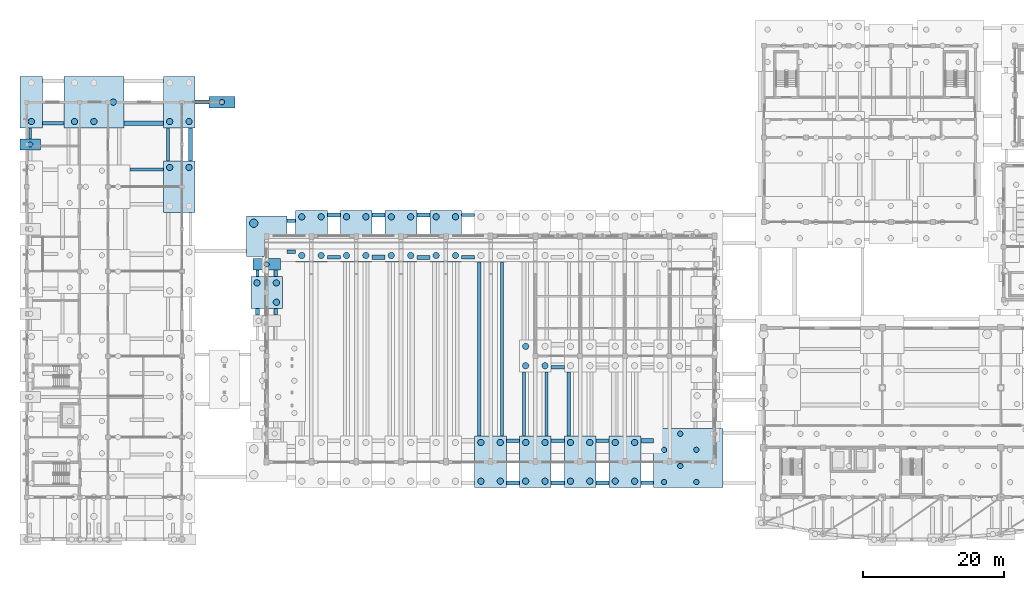
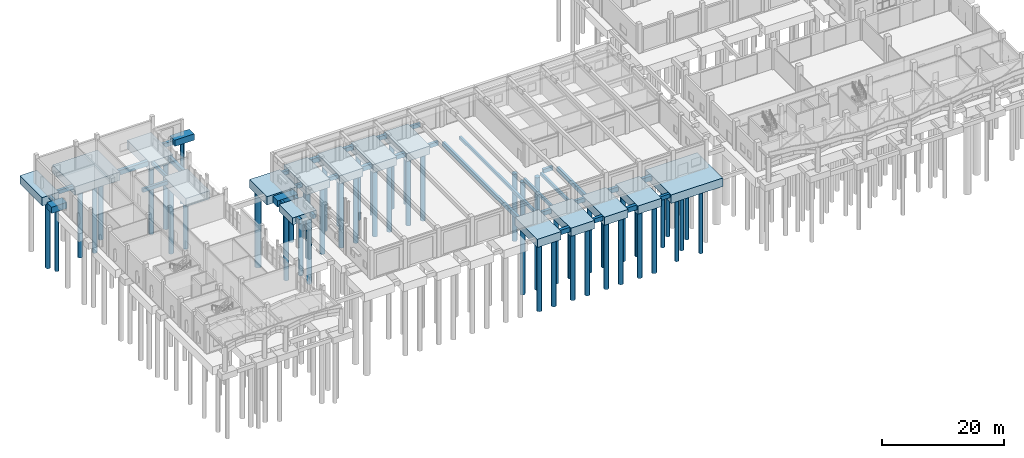
# One storey, part 3 of 60: 56 piles, 53 footings.
"""IFC4 building model written with IfcOpenShell, lengths in metres."""

from ifc_helpers import new_model, si_unit, direction, frame, origin, origin_2d, place, context, subcontext, project, spatial, rectangle, circle, extrude, material, material_profile, profile_set, type_object, element, save


model = new_model("IFC4")

# Units and contexts
model_context = context("Model", 3, precision=1e-05, world=origin(), true_north=direction((0.0, 1.0)))
body_context = subcontext(model_context, "Body", "Model", "MODEL_VIEW")
ifc_project = project(units=[si_unit("LENGTHUNIT", "METRE"), si_unit("AREAUNIT", "SQUARE_METRE"), si_unit("VOLUMEUNIT", "CUBIC_METRE"), si_unit("PLANEANGLEUNIT", "RADIAN"), si_unit("MASSUNIT", "GRAM", prefix="KILO")], contexts=[model_context])

# Site, building, storey
site_placement = place(None, origin())
site = spatial("IfcSite", under=ifc_project, at=site_placement, CompositionType="ELEMENT")
building_placement = place(site_placement, origin())
building = spatial("IfcBuilding", under=site, at=building_placement, Name="Trellovar Central Fire Station", CompositionType="ELEMENT")
storey_placement = place(building_placement, origin())
storey = spatial("IfcBuildingStorey", under=building, at=storey_placement, Name="L01", CompositionType="ELEMENT", Elevation=0.0)

# Footings
ifc_material_1 = material(Name="Concrete C35/45", Category="concrete")
footing_type_1 = type_object("IfcFootingType", Name="CAP-PC03", PredefinedType="PILE_CAP", material=ifc_material_1)
footing_1_placement = place(storey_placement, frame((1.47705078125, 59.0, -1.64990234375), z_axis=(0.0, 0.0, 1.0), x_axis=(1.0, 0.0, 0.0)))
element("IfcFooting", 1, at=footing_1_placement, inside=storey, type_object=footing_type_1, Name="Pile cap PC-03 at (1.5, 59.0)", PredefinedType="PILE_CAP", context=body_context, shape_type="SweptSolid", body=[
    extrude(rectangle(XDim=2.89990234375, YDim=1.60009765625, at=origin_2d()), origin(), (0.0, 0.0, 1.0), 1.25),
])
ifc_material_2 = material(Name="Concrete C35/45", Category="concrete")
footing_type_2 = type_object("IfcFootingType", Name="CAP-PC05", PredefinedType="PILE_CAP", material=ifc_material_2)
footing_2_placement = place(storey_placement, frame((1.639892578125, 65.0, -2.050048828125), z_axis=(0.0, 0.0, 1.0), x_axis=(1.0, 0.0, 0.0)))
element("IfcFooting", 2, at=footing_2_placement, inside=storey, type_object=footing_type_2, Name="Pile cap PC-05 at (1.6, 65.0)", PredefinedType="PILE_CAP", context=body_context, shape_type="SweptSolid", body=[
    extrude(rectangle(XDim=3.199951171875, YDim=7.300048828125, at=origin_2d()), origin(), (0.0, 0.0, 1.0), 1.64990234375),
])
ifc_material_3 = material(Name="Concrete C35/45", Category="concrete")
footing_type_3 = type_object("IfcFootingType", Name="CAP-PC09", PredefinedType="PILE_CAP", material=ifc_material_3)
footing_3_placement = place(storey_placement, frame((10.5, 65.0, -2.050048828125), z_axis=(0.0, 0.0, 1.0), x_axis=(1.0, 0.0, 0.0)))
element("IfcFooting", 3, at=footing_3_placement, inside=storey, type_object=footing_type_3, Name="Pile cap PC-09 at (10.5, 65.0)", PredefinedType="PILE_CAP", context=body_context, shape_type="SweptSolid", body=[
    extrude(rectangle(XDim=8.5, YDim=7.300048828125, at=origin_2d()), origin(), (0.0, 0.0, 1.0), 1.64990234375),
])
ifc_material_4 = material(Name="Concrete C35/45", Category="concrete")
footing_type_4 = type_object("IfcFootingType", Name="CAP-PC12", PredefinedType="PILE_CAP", material=ifc_material_4)
for number, where, z_axis, x_axis, name in (
    (4, (22.6201171875, 53.0, -2.050048828125), (0.0, 0.0, 1.0), (1.0, 0.0, 0.0), "Pile cap PC-12 at (22.6, 53.0)"),
    (5, (22.6201171875, 65.0, -2.050048828125), (0.0, 0.0, 1.0), (1.0, 0.0, 0.0), "Pile cap PC-12 at (22.6, 65.0)"),
    (6, (41.35009765625, 46.0, -2.050048828125), (0.0, 0.0, 1.0), (1.0, 0.0, 0.0), "Pile cap PC-12 at (41.4, 46.0)"),
    (7, (47.699951171875, 46.0, -2.050048828125), (0.0, 0.0, 1.0), (1.0, 0.0, 0.0), "Pile cap PC-12 at (47.7, 46.0)"),
    (8, (54.050048828125, 46.0, -2.050048828125), (0.0, 0.0, 1.0), (1.0, 0.0, 0.0), "Pile cap PC-12 at (54.0, 46.0)"),
    (9, (60.39990234375, 46.0, -2.050048828125), (0.0, 0.0, 1.0), (1.0, 0.0, 0.0), "Pile cap PC-12 at (60.4, 46.0)"),
    (10, (66.75, 14.0, -2.050048828125), (0.0, 0.0, 1.0), (1.0, 0.0, 0.0), "Pile cap PC-12 at (66.8, 14.0)"),
    (11, (73.10009765625, 14.0, -2.050048828125), (0.0, 0.0, 1.0), (1.0, 0.0, 0.0), "Pile cap PC-12 at (73.1, 14.0)"),
    (12, (79.449951171875, 14.0, -2.050048828125), (0.0, 0.0, 1.0), (1.0, 0.0, 0.0), "Pile cap PC-12 at (79.5, 14.0)"),
    (13, (85.800048828125, 14.0, -2.050048828125), (0.0, 0.0, 1.0), (1.0, 0.0, 0.0), "Pile cap PC-12 at (85.8, 14.0)"),
):
    element("IfcFooting", number, at=place(storey_placement, frame(where, z_axis=z_axis, x_axis=x_axis)), inside=storey, type_object=footing_type_4, Name=name, PredefinedType="PILE_CAP", context=body_context, shape_type="SweptSolid", body=[
        extrude(rectangle(XDim=4.5, YDim=7.300048828125, at=origin_2d()), origin(), (0.0, 0.0, 1.0), 1.64990234375),
    ])
ifc_material_5 = material(Name="Concrete C35/45", Category="concrete")
footing_type_5 = type_object("IfcFootingType", Name="CAP-PC13", PredefinedType="PILE_CAP", material=ifc_material_5)
footing_4_placement = place(storey_placement, frame((28.677978515625, 65.0, -1.25), z_axis=(0.0, 0.0, 1.0), x_axis=(1.0, 0.0, 0.0)))
element("IfcFooting", 14, at=footing_4_placement, inside=storey, type_object=footing_type_5, Name="Pile cap PC-13 at (28.7, 65.0)", PredefinedType="PILE_CAP", context=body_context, shape_type="SweptSolid", body=[
    extrude(rectangle(XDim=3.699951171875, YDim=1.60009765625, at=origin_2d()), origin(), (0.0, 0.0, 1.0), 1.25),
])
ifc_material_6 = material(Name="Concrete C35/45", Category="concrete")
footing_type_6 = type_object("IfcFootingType", Name="CAP-PC19", PredefinedType="PILE_CAP", material=ifc_material_6)
footing_5_placement = place(storey_placement, frame((35.0, 38.0, -1.800048828125), z_axis=(0.0, 0.0, 1.0), x_axis=(1.0, 0.0, 0.0)))
element("IfcFooting", 15, at=footing_5_placement, inside=storey, type_object=footing_type_6, Name="Pile cap PC-19 at (35.0, 38.0)", PredefinedType="PILE_CAP", context=body_context, shape_type="SweptSolid", body=[
    extrude(rectangle(XDim=4.5, YDim=4.5, at=origin_2d()), origin(), (0.0, 0.0, 1.0), 1.39990234375),
])
ifc_material_7 = material(Name="Concrete C35/45", Category="concrete")
footing_type_7 = type_object("IfcFootingType", Name="CAP-PC20", PredefinedType="PILE_CAP", material=ifc_material_7)
footing_6_placement = place(storey_placement, frame((35.0, 42.0, -1.64990234375), z_axis=(0.0, 0.0, 1.0), x_axis=(1.0, 0.0, 0.0)))
element("IfcFooting", 16, at=footing_6_placement, inside=storey, type_object=footing_type_7, Name="Pile cap PC-20 at (35.0, 42.0)", PredefinedType="PILE_CAP", context=body_context, shape_type="SweptSolid", body=[
    extrude(rectangle(XDim=3.89990234375, YDim=1.60009765625, at=origin_2d()), origin(), (0.0, 0.0, 1.0), 1.25),
])
ifc_material_8 = material(Name="Concrete C35/45", Category="concrete")
footing_type_8 = type_object("IfcFootingType", Name="CAP-PC21", PredefinedType="PILE_CAP", material=ifc_material_8)
footing_7_placement = place(storey_placement, frame((35.0, 46.0, -2.10009765625), z_axis=(0.0, 0.0, 1.0), x_axis=(1.0, 0.0, 0.0)))
element("IfcFooting", 17, at=footing_7_placement, inside=storey, type_object=footing_type_8, Name="Pile cap PC-21 at (35.0, 46.0)", PredefinedType="PILE_CAP", context=body_context, shape_type="SweptSolid", body=[
    extrude(rectangle(XDim=5.699951171875, YDim=5.699951171875, at=origin_2d()), origin(), (0.0, 0.0, 1.0), 1.699951171875),
])
ifc_material_9 = material(Name="Concrete C35/45", Category="concrete")
footing_type_9 = type_object("IfcFootingType", Name="CAP-PC23", PredefinedType="PILE_CAP", material=ifc_material_9)
footing_8_placement = place(storey_placement, frame((94.784912109375, 14.56201171875, -2.10009765625), z_axis=(0.0, 0.0, 1.0), x_axis=(1.0, 0.0, 0.0)))
element("IfcFooting", 18, at=footing_8_placement, inside=storey, type_object=footing_type_9, Name="Pile cap PC-23 at (94.8, 14.6)", PredefinedType="PILE_CAP", context=body_context, shape_type="SweptSolid", body=[
    extrude(rectangle(XDim=9.800048828125, YDim=8.39990234375, at=origin_2d()), origin(), (0.0, 0.0, 1.0), 1.699951171875),
])
ifc_material_10 = material(Name="Concrete C35/45", Category="concrete")
ifc_material_profile_1 = material_profile(ifc_material_10, rectangle(XDim=0.5, YDim=0.800048828125, at=origin_2d()), Name="RC500X800")
ifc_profile_set_1 = profile_set([ifc_material_profile_1], Name="Concrete C35/45")
footing_type_10 = type_object("IfcFootingType", Name="FB-GB1", PredefinedType="FOOTING_BEAM", material=ifc_profile_set_1)
footing_9_placement = place(storey_placement, frame((36.300048828125, 34.800048828125, -0.800048828125), z_axis=(0.0, 1.0, 0.0), x_axis=(-1.0, 0.0, 0.0)))
element("IfcFooting", 19, at=footing_9_placement, inside=storey, type_object=footing_type_10, Name="Footing tie beam GB-072", PredefinedType="FOOTING_BEAM", context=body_context, shape_type="SweptSolid", body=[
    extrude(rectangle(XDim=0.5, YDim=0.800048828125, at=origin_2d()), origin(), (0.0, 0.0, 1.0), 0.949951171875),
])
footing_10_placement = place(storey_placement, frame((56.300048828125, 49.0, -0.800048828125), z_axis=(1.0, 0.0, 0.0), x_axis=(0.0, 1.0, 0.0)))
element("IfcFooting", 20, at=footing_10_placement, inside=storey, type_object=footing_type_10, Name="Footing tie beam GB-093", PredefinedType="FOOTING_BEAM", context=body_context, shape_type="SweptSolid", body=[
    extrude(rectangle(XDim=0.5, YDim=0.800048828125, at=origin_2d()), origin(), (0.0, 0.0, 1.0), 1.849853515625),
])
footing_11_placement = place(storey_placement, frame((62.64990234375, 43.0, -0.800048828125), z_axis=(1.0, 0.0, 0.0), x_axis=(0.0, 1.0, 0.0)))
element("IfcFooting", 21, at=footing_11_placement, inside=storey, type_object=footing_type_10, Name="Footing tie beam GB-098", PredefinedType="FOOTING_BEAM", context=body_context, shape_type="SweptSolid", body=[
    extrude(rectangle(XDim=0.5, YDim=0.800048828125, at=origin_2d()), origin(), (0.0, 0.0, 1.0), 1.85009765625),
])
footing_12_placement = place(storey_placement, frame((65.14990234375, 17.64990234375, -0.800048828125), z_axis=(0.0, 1.0, 0.0), x_axis=(-1.0, 0.0, 0.0)))
element("IfcFooting", 22, at=footing_12_placement, inside=storey, type_object=footing_type_10, Name="Footing tie beam GB-102", PredefinedType="FOOTING_BEAM", context=body_context, shape_type="SweptSolid", body=[
    extrude(rectangle(XDim=0.5, YDim=0.800048828125, at=origin_2d()), origin(), (0.0, 0.0, 1.0), 24.7001953125),
])
footing_13_placement = place(storey_placement, frame((75.35009765625, 17.0, -0.800048828125), z_axis=(1.0, 0.0, 0.0), x_axis=(0.0, 1.0, 0.0)))
element("IfcFooting", 23, at=footing_13_placement, inside=storey, type_object=footing_type_10, Name="Footing tie beam GB-107", PredefinedType="FOOTING_BEAM", context=body_context, shape_type="SweptSolid", body=[
    extrude(rectangle(XDim=0.5, YDim=0.800048828125, at=origin_2d()), origin(), (0.0, 0.0, 1.0), 1.849853515625),
])
footing_14_placement = place(storey_placement, frame((77.85009765625, 17.64990234375, -0.800048828125), z_axis=(0.0, 1.0, 0.0), x_axis=(-1.0, 0.0, 0.0)))
element("IfcFooting", 24, at=footing_14_placement, inside=storey, type_object=footing_type_10, Name="Footing tie beam GB-118", PredefinedType="FOOTING_BEAM", context=body_context, shape_type="SweptSolid", body=[
    extrude(rectangle(XDim=0.5, YDim=0.800048828125, at=origin_2d()), origin(), (0.0, 0.0, 1.0), 9.10009765625),
])
ifc_material_11 = material(Name="Concrete C35/45", Category="concrete")
ifc_material_profile_2 = material_profile(ifc_material_11, rectangle(XDim=0.60009765625, YDim=0.949951171875, at=origin_2d()), Name="RC600X950")
ifc_profile_set_2 = profile_set([ifc_material_profile_2], Name="Concrete C35/45")
footing_type_11 = type_object("IfcFootingType", Name="FB-GB2", PredefinedType="FOOTING_BEAM", material=ifc_profile_set_2)
footing_15_placement = place(storey_placement, frame((14.75, 62.0, -0.875), z_axis=(1.0, 0.0, 0.0), x_axis=(0.0, 1.0, 0.0)))
element("IfcFooting", 25, at=footing_15_placement, inside=storey, type_object=footing_type_11, Name="Footing tie beam GB-042", PredefinedType="FOOTING_BEAM", context=body_context, shape_type="SweptSolid", body=[
    extrude(rectangle(XDim=0.60009765625, YDim=0.949951171875, at=origin_2d()), origin(), (0.0, 0.0, 1.0), 5.6201171875),
])
footing_16_placement = place(storey_placement, frame((24.219970703125, 56.64990234375, -0.875), z_axis=(0.0, 1.0, 0.0), x_axis=(-1.0, 0.0, 0.0)))
element("IfcFooting", 26, at=footing_16_placement, inside=storey, type_object=footing_type_11, Name="Footing tie beam GB-060", PredefinedType="FOOTING_BEAM", context=body_context, shape_type="SweptSolid", body=[
    extrude(rectangle(XDim=0.60009765625, YDim=0.949951171875, at=origin_2d()), origin(), (0.0, 0.0, 1.0), 4.7001953125),
])
footing_17_placement = place(storey_placement, frame((33.699951171875, 34.800048828125, -0.875), z_axis=(0.0, 1.0, 0.0), x_axis=(-1.0, 0.0, 0.0)))
element("IfcFooting", 27, at=footing_17_placement, inside=storey, type_object=footing_type_11, Name="Footing tie beam GB-071", PredefinedType="FOOTING_BEAM", context=body_context, shape_type="SweptSolid", body=[
    extrude(rectangle(XDim=0.60009765625, YDim=0.949951171875, at=origin_2d()), origin(), (0.0, 0.0, 1.0), 0.949951171875),
])
footing_18_placement = place(storey_placement, frame((43.60009765625, 49.0, -0.875), z_axis=(1.0, 0.0, 0.0), x_axis=(0.0, 1.0, 0.0)))
element("IfcFooting", 28, at=footing_18_placement, inside=storey, type_object=footing_type_11, Name="Footing tie beam GB-081", PredefinedType="FOOTING_BEAM", context=body_context, shape_type="SweptSolid", body=[
    extrude(rectangle(XDim=0.60009765625, YDim=0.949951171875, at=origin_2d()), origin(), (0.0, 0.0, 1.0), 1.849853515625),
])
for number, where, z_axis, x_axis, name in (
    (29, (49.949951171875, 43.0, -0.875), (1.0, 0.0, 0.0), (0.0, 1.0, 0.0), "Footing tie beam GB-086"),
    (30, (69.0, 11.0, -0.875), (1.0, 0.0, 0.0), (0.0, 1.0, 0.0), "Footing tie beam GB-100"),
    (31, (81.699951171875, 11.0, -0.875), (1.0, 0.0, 0.0), (0.0, 1.0, 0.0), "Footing tie beam GB-116"),
):
    element("IfcFooting", number, at=place(storey_placement, frame(where, z_axis=z_axis, x_axis=x_axis)), inside=storey, type_object=footing_type_11, Name=name, PredefinedType="FOOTING_BEAM", context=body_context, shape_type="SweptSolid", body=[
        extrude(rectangle(XDim=0.60009765625, YDim=0.949951171875, at=origin_2d()), origin(), (0.0, 0.0, 1.0), 1.85009765625),
    ])
footing_19_placement = place(storey_placement, frame((88.050048828125, 17.0, -0.875), z_axis=(1.0, 0.0, 0.0), x_axis=(0.0, 1.0, 0.0)))
element("IfcFooting", 32, at=footing_19_placement, inside=storey, type_object=footing_type_11, Name="Footing tie beam GB-127", PredefinedType="FOOTING_BEAM", context=body_context, shape_type="SweptSolid", body=[
    extrude(rectangle(XDim=0.60009765625, YDim=0.949951171875, at=origin_2d()), origin(), (0.0, 0.0, 1.0), 1.8349609375),
])
ifc_material_12 = material(Name="Concrete C35/45", Category="concrete")
ifc_material_profile_3 = material_profile(ifc_material_12, rectangle(XDim=0.449951171875, YDim=0.75, at=origin_2d()), Name="RC450X750")
ifc_profile_set_3 = profile_set([ifc_material_profile_3], Name="Concrete C35/45")
footing_type_12 = type_object("IfcFootingType", Name="FB-GB3", PredefinedType="FOOTING_BEAM", material=ifc_profile_set_3)
footing_20_placement = place(storey_placement, frame((15.60009765625, 55.449951171875, -0.77490234375), z_axis=(1.0, 0.0, 0.0), x_axis=(0.0, 1.0, 0.0)))
element("IfcFooting", 33, at=footing_20_placement, inside=storey, type_object=footing_type_12, Name="Footing tie beam GB-039", PredefinedType="FOOTING_BEAM", context=body_context, shape_type="SweptSolid", body=[
    extrude(rectangle(XDim=0.449951171875, YDim=0.75, at=origin_2d()), origin(), (0.0, 0.0, 1.0), 4.77001953125),
])
footing_21_placement = place(storey_placement, frame((37.85009765625, 43.800048828125, -0.77490234375), z_axis=(1.0, 0.0, 0.0), x_axis=(0.0, 1.0, 0.0)))
element("IfcFooting", 34, at=footing_21_placement, inside=storey, type_object=footing_type_12, Name="Footing tie beam GB-075", PredefinedType="FOOTING_BEAM", context=body_context, shape_type="SweptSolid", body=[
    extrude(rectangle(XDim=0.449951171875, YDim=0.75, at=origin_2d()), origin(), (0.0, 0.0, 1.0), 1.25),
])
footing_22_placement = place(storey_placement, frame((62.64990234375, 49.0, -0.77490234375), z_axis=(1.0, 0.0, 0.0), x_axis=(0.0, 1.0, 0.0)))
element("IfcFooting", 35, at=footing_22_placement, inside=storey, type_object=footing_type_12, Name="Footing tie beam GB-099", PredefinedType="FOOTING_BEAM", context=body_context, shape_type="SweptSolid", body=[
    extrude(rectangle(XDim=0.449951171875, YDim=0.75, at=origin_2d()), origin(), (0.0, 0.0, 1.0), 1.85009765625),
])
ifc_material_13 = material(Name="Concrete C35/45", Category="concrete")
ifc_material_profile_4 = material_profile(ifc_material_13, rectangle(XDim=0.39990234375, YDim=0.64990234375, at=origin_2d()), Name="RC400X650")
ifc_profile_set_4 = profile_set([ifc_material_profile_4], Name="Concrete C35/45")
footing_type_13 = type_object("IfcFootingType", Name="FB-GB4", PredefinedType="FOOTING_BEAM", material=ifc_profile_set_4)
footing_23_placement = place(storey_placement, frame((33.699951171875, 40.25, -0.72509765625), z_axis=(0.0, 1.0, 0.0), x_axis=(-1.0, 0.0, 0.0)))
element("IfcFooting", 36, at=footing_23_placement, inside=storey, type_object=footing_type_13, Name="Footing tie beam GB-073", PredefinedType="FOOTING_BEAM", context=body_context, shape_type="SweptSolid", body=[
    extrude(rectangle(XDim=0.39990234375, YDim=0.64990234375, at=origin_2d()), origin(), (0.0, 0.0, 1.0), 0.949951171875),
])
footing_24_placement = place(storey_placement, frame((74.699951171875, 17.64990234375, -0.72509765625), z_axis=(0.0, 1.0, 0.0), x_axis=(-1.0, 0.0, 0.0)))
element("IfcFooting", 37, at=footing_24_placement, inside=storey, type_object=footing_type_13, Name="Footing tie beam GB-109", PredefinedType="FOOTING_BEAM", context=body_context, shape_type="SweptSolid", body=[
    extrude(rectangle(XDim=0.39990234375, YDim=0.64990234375, at=origin_2d()), origin(), (0.0, 0.0, 1.0), 9.10009765625),
])
ifc_material_14 = material(Name="Concrete C35/45", Category="concrete")
ifc_material_profile_5 = material_profile(ifc_material_14, rectangle(XDim=0.550048828125, YDim=0.85009765625, at=origin_2d()), Name="RC550X850")
ifc_profile_set_5 = profile_set([ifc_material_profile_5], Name="Concrete C35/45")
footing_type_14 = type_object("IfcFootingType", Name="FB-GB5", PredefinedType="FOOTING_BEAM", material=ifc_profile_set_5)
footing_25_placement = place(storey_placement, frame((24.8701171875, 65.0, -0.824951171875), z_axis=(1.0, 0.0, 0.0), x_axis=(0.0, 1.0, 0.0)))
element("IfcFooting", 38, at=footing_25_placement, inside=storey, type_object=footing_type_14, Name="Footing tie beam GB-061", PredefinedType="FOOTING_BEAM", context=body_context, shape_type="SweptSolid", body=[
    extrude(rectangle(XDim=0.550048828125, YDim=0.85009765625, at=origin_2d()), origin(), (0.0, 0.0, 1.0), 1.957763671875),
])
footing_26_placement = place(storey_placement, frame((49.949951171875, 49.0, -0.824951171875), z_axis=(1.0, 0.0, 0.0), x_axis=(0.0, 1.0, 0.0)))
element("IfcFooting", 39, at=footing_26_placement, inside=storey, type_object=footing_type_14, Name="Footing tie beam GB-087", PredefinedType="FOOTING_BEAM", context=body_context, shape_type="SweptSolid", body=[
    extrude(rectangle(XDim=0.550048828125, YDim=0.85009765625, at=origin_2d()), origin(), (0.0, 0.0, 1.0), 1.85009765625),
])
footing_27_placement = place(storey_placement, frame((56.300048828125, 43.0, -0.824951171875), z_axis=(1.0, 0.0, 0.0), x_axis=(0.0, 1.0, 0.0)))
element("IfcFooting", 40, at=footing_27_placement, inside=storey, type_object=footing_type_14, Name="Footing tie beam GB-092", PredefinedType="FOOTING_BEAM", context=body_context, shape_type="SweptSolid", body=[
    extrude(rectangle(XDim=0.550048828125, YDim=0.85009765625, at=origin_2d()), origin(), (0.0, 0.0, 1.0), 1.849853515625),
])
footing_28_placement = place(storey_placement, frame((69.0, 17.0, -0.824951171875), z_axis=(1.0, 0.0, 0.0), x_axis=(0.0, 1.0, 0.0)))
element("IfcFooting", 41, at=footing_28_placement, inside=storey, type_object=footing_type_14, Name="Footing tie beam GB-101", PredefinedType="FOOTING_BEAM", context=body_context, shape_type="SweptSolid", body=[
    extrude(rectangle(XDim=0.550048828125, YDim=0.85009765625, at=origin_2d()), origin(), (0.0, 0.0, 1.0), 1.85009765625),
])
footing_29_placement = place(storey_placement, frame((75.35009765625, 11.0, -0.824951171875), z_axis=(1.0, 0.0, 0.0), x_axis=(0.0, 1.0, 0.0)))
element("IfcFooting", 42, at=footing_29_placement, inside=storey, type_object=footing_type_14, Name="Footing tie beam GB-106", PredefinedType="FOOTING_BEAM", context=body_context, shape_type="SweptSolid", body=[
    extrude(rectangle(XDim=0.550048828125, YDim=0.85009765625, at=origin_2d()), origin(), (0.0, 0.0, 1.0), 1.849853515625),
])
footing_30_placement = place(storey_placement, frame((81.699951171875, 17.0, -0.824951171875), z_axis=(1.0, 0.0, 0.0), x_axis=(0.0, 1.0, 0.0)))
element("IfcFooting", 43, at=footing_30_placement, inside=storey, type_object=footing_type_14, Name="Footing tie beam GB-117", PredefinedType="FOOTING_BEAM", context=body_context, shape_type="SweptSolid", body=[
    extrude(rectangle(XDim=0.550048828125, YDim=0.85009765625, at=origin_2d()), origin(), (0.0, 0.0, 1.0), 1.85009765625),
])
ifc_material_15 = material(Name="Concrete C35/45", Category="concrete")
ifc_material_profile_6 = material_profile(ifc_material_15, rectangle(XDim=0.5, YDim=0.75, at=origin_2d()), Name="RC500X750")
ifc_profile_set_6 = profile_set([ifc_material_profile_6], Name="Concrete C35/45")
footing_type_15 = type_object("IfcFootingType", Name="FB-GB6", PredefinedType="FOOTING_BEAM", material=ifc_profile_set_6)
footing_31_placement = place(storey_placement, frame((3.239990234375, 62.0, -0.77490234375), z_axis=(1.0, 0.0, 0.0), x_axis=(0.0, 1.0, 0.0)))
element("IfcFooting", 44, at=footing_31_placement, inside=storey, type_object=footing_type_15, Name="Footing tie beam GB-020", PredefinedType="FOOTING_BEAM", context=body_context, shape_type="SweptSolid", body=[
    extrude(rectangle(XDim=0.5, YDim=0.75, at=origin_2d()), origin(), (0.0, 0.0, 1.0), 3.010009765625),
])
footing_32_placement = place(storey_placement, frame((37.85009765625, 48.199951171875, -0.77490234375), z_axis=(1.0, 0.0, 0.0), x_axis=(0.0, 1.0, 0.0)))
element("IfcFooting", 45, at=footing_32_placement, inside=storey, type_object=footing_type_15, Name="Footing tie beam GB-076", PredefinedType="FOOTING_BEAM", context=body_context, shape_type="SweptSolid", body=[
    extrude(rectangle(XDim=0.5, YDim=0.75, at=origin_2d()), origin(), (0.0, 0.0, 1.0), 1.25),
])
for number, where, z_axis, x_axis, name in (
    (46, (43.60009765625, 43.0, -0.77490234375), (1.0, 0.0, 0.0), (0.0, 1.0, 0.0), "Footing tie beam GB-080"),
    (47, (75.35009765625, 27.39990234375, -0.77490234375), (1.0, 0.0, 0.0), (0.0, 1.0, 0.0), "Footing tie beam GB-110"),
):
    element("IfcFooting", number, at=place(storey_placement, frame(where, z_axis=z_axis, x_axis=x_axis)), inside=storey, type_object=footing_type_15, Name=name, PredefinedType="FOOTING_BEAM", context=body_context, shape_type="SweptSolid", body=[
        extrude(rectangle(XDim=0.5, YDim=0.75, at=origin_2d()), origin(), (0.0, 0.0, 1.0), 1.849853515625),
    ])
footing_33_placement = place(storey_placement, frame((88.050048828125, 11.011962890625, -0.77490234375), z_axis=(1.0, 0.0, 0.0), x_axis=(0.0, 1.0, 0.0)))
element("IfcFooting", 48, at=footing_33_placement, inside=storey, type_object=footing_type_15, Name="Footing tie beam GB-126", PredefinedType="FOOTING_BEAM", context=body_context, shape_type="SweptSolid", body=[
    extrude(rectangle(XDim=0.5, YDim=0.75, at=origin_2d()), origin(), (0.0, 0.0, 1.0), 1.8349609375),
])
ifc_material_16 = material(Name="Concrete C35/45", Category="concrete")
ifc_material_profile_7 = material_profile(ifc_material_16, rectangle(XDim=0.449951171875, YDim=0.699951171875, at=origin_2d()), Name="RC450X700")
ifc_profile_set_7 = profile_set([ifc_material_profile_7], Name="Concrete C35/45")
footing_type_16 = type_object("IfcFootingType", Name="FB-GB7", PredefinedType="FOOTING_BEAM", material=ifc_profile_set_7)
footing_34_placement = place(storey_placement, frame((21.02001953125, 56.64990234375, -0.75), z_axis=(0.0, 1.0, 0.0), x_axis=(-1.0, 0.0, 0.0)))
element("IfcFooting", 49, at=footing_34_placement, inside=storey, type_object=footing_type_16, Name="Footing tie beam GB-059", PredefinedType="FOOTING_BEAM", context=body_context, shape_type="SweptSolid", body=[
    extrude(rectangle(XDim=0.449951171875, YDim=0.699951171875, at=origin_2d()), origin(), (0.0, 0.0, 1.0), 4.7001953125),
])
footing_35_placement = place(storey_placement, frame((36.300048828125, 40.25, -0.75), z_axis=(0.0, 1.0, 0.0), x_axis=(-1.0, 0.0, 0.0)))
element("IfcFooting", 50, at=footing_35_placement, inside=storey, type_object=footing_type_16, Name="Footing tie beam GB-074", PredefinedType="FOOTING_BEAM", context=body_context, shape_type="SweptSolid", body=[
    extrude(rectangle(XDim=0.449951171875, YDim=0.699951171875, at=origin_2d()), origin(), (0.0, 0.0, 1.0), 0.949951171875),
])
ifc_material_17 = material(Name="Concrete C35/45", Category="concrete")
ifc_material_profile_8 = material_profile(ifc_material_17, rectangle(XDim=0.39990234375, YDim=0.60009765625, at=origin_2d()), Name="RC400X600")
ifc_profile_set_8 = profile_set([ifc_material_profile_8], Name="Concrete C35/45")
footing_type_17 = type_object("IfcFootingType", Name="FB-GB8", PredefinedType="FOOTING_BEAM", material=ifc_profile_set_8)
footing_36_placement = place(storey_placement, frame((1.48291015625, 59.800048828125, -0.699951171875), z_axis=(0.0, 1.0, 0.0), x_axis=(-1.0, 0.0, 0.0)))
element("IfcFooting", 51, at=footing_36_placement, inside=storey, type_object=footing_type_17, Name="Footing tie beam GB-019", PredefinedType="FOOTING_BEAM", context=body_context, shape_type="SweptSolid", body=[
    extrude(rectangle(XDim=0.39990234375, YDim=0.60009765625, at=origin_2d()), origin(), (0.0, 0.0, 1.0), 1.550048828125),
])
footing_37_placement = place(storey_placement, frame((68.35009765625, 17.64990234375, -0.699951171875), z_axis=(0.0, 1.0, 0.0), x_axis=(-1.0, 0.0, 0.0)))
element("IfcFooting", 52, at=footing_37_placement, inside=storey, type_object=footing_type_17, Name="Footing tie beam GB-103", PredefinedType="FOOTING_BEAM", context=body_context, shape_type="SweptSolid", body=[
    extrude(rectangle(XDim=0.39990234375, YDim=0.60009765625, at=origin_2d()), origin(), (0.0, 0.0, 1.0), 24.7001953125),
])
footing_38_placement = place(storey_placement, frame((71.5, 17.64990234375, -0.699951171875), z_axis=(0.0, 1.0, 0.0), x_axis=(-1.0, 0.0, 0.0)))
element("IfcFooting", 53, at=footing_38_placement, inside=storey, type_object=footing_type_17, Name="Footing tie beam GB-108", PredefinedType="FOOTING_BEAM", context=body_context, shape_type="SweptSolid", body=[
    extrude(rectangle(XDim=0.39990234375, YDim=0.60009765625, at=origin_2d()), origin(), (0.0, 0.0, 1.0), 9.10009765625),
])

# Piles
ifc_material_18 = material(Name="Concrete C35/45", Category="concrete")
ifc_material_profile_9 = material_profile(ifc_material_18, circle(Radius=0.375, at=origin_2d()), Name="PILE750")
ifc_profile_set_9 = profile_set([ifc_material_profile_9], Name="Concrete C35/45")
pile_type_1 = type_object("IfcPileType", Name="PILE-BP1", PredefinedType="BORED", material=ifc_profile_set_9)
for number, where, z_axis, x_axis, name in (
    (54, (1.47705078125, 59.0, -1.550048828125), (0.0, 0.0, -1.0), (1.0, 0.0, 0.0), "Bored pile FNDBP3-009-01"),
    (55, (28.677978515625, 65.0, -1.14990234375), (0.0, 0.0, -1.0), (1.0, 0.0, 0.0), "Bored pile FNDBP3-025-01"),
    (56, (35.0, 42.0, -1.550048828125), (0.0, 0.0, -1.0), (1.0, 0.0, 0.0), "Bored pile FNDBP3-032-01"),
    (57, (91.35498046875, 11.132080078125, -2.0), (0.0, 0.0, -1.0), (1.0, 0.0, 0.0), "Bored pile FNDBP3-053-01"),
    (58, (91.35498046875, 15.705078125, -2.0), (0.0, 0.0, -1.0), (1.0, 0.0, 0.0), "Bored pile FNDBP3-053-02"),
    (59, (93.64208984375, 13.4189453125, -2.0), (0.0, 0.0, -1.0), (1.0, 0.0, 0.0), "Bored pile FNDBP3-053-03"),
    (60, (93.64208984375, 17.991943359375, -2.0), (0.0, 0.0, -1.0), (1.0, 0.0, 0.0), "Bored pile FNDBP3-053-04"),
    (61, (95.927978515625, 11.132080078125, -2.0), (0.0, 0.0, -1.0), (1.0, 0.0, 0.0), "Bored pile FNDBP3-053-05"),
    (62, (95.927978515625, 15.705078125, -2.0), (0.0, 0.0, -1.0), (1.0, 0.0, 0.0), "Bored pile FNDBP3-053-06"),
):
    element("IfcPile", number, at=place(storey_placement, frame(where, z_axis=z_axis, x_axis=x_axis)), inside=storey, type_object=pile_type_1, Name=name, PredefinedType="BORED", context=body_context, shape_type="SweptSolid", body=[
        extrude(circle(Radius=0.375, at=origin_2d()), origin(), (0.0, 0.0, 1.0), 12.5),
    ])
ifc_material_19 = material(Name="Concrete C35/45", Category="concrete")
ifc_material_profile_10 = material_profile(ifc_material_19, circle(Radius=0.449951171875, at=origin_2d()), Name="PILE900")
ifc_profile_set_10 = profile_set([ifc_material_profile_10], Name="Concrete C35/45")
pile_type_2 = type_object("IfcPileType", Name="PILE-BP2", PredefinedType="BORED", material=ifc_profile_set_10)
for number, where, z_axis, x_axis, name in (
    (63, (1.639892578125, 62.2548828125, -1.949951171875), (0.0, 0.0, -1.0), (1.0, 0.0, 0.0), "Bored pile FNDBP3-010-01"),
    (64, (7.7548828125, 62.2548828125, -1.949951171875), (0.0, 0.0, -1.0), (1.0, 0.0, 0.0), "Bored pile FNDBP3-017-01"),
    (65, (10.5, 62.2548828125, -1.949951171875), (0.0, 0.0, -1.0), (1.0, 0.0, 0.0), "Bored pile FNDBP3-017-03"),
    (66, (13.2451171875, 65.0, -1.949951171875), (0.0, 0.0, -1.0), (1.0, 0.0, 0.0), "Bored pile FNDBP3-017-05"),
    (67, (21.2470703125, 55.7451171875, -1.949951171875), (0.0, 0.0, -1.0), (1.0, 0.0, 0.0), "Bored pile FNDBP3-023-02"),
    (68, (23.992919921875, 55.7451171875, -1.949951171875), (0.0, 0.0, -1.0), (1.0, 0.0, 0.0), "Bored pile FNDBP3-023-04"),
    (69, (21.2470703125, 62.2548828125, -1.949951171875), (0.0, 0.0, -1.0), (1.0, 0.0, 0.0), "Bored pile FNDBP3-024-01"),
    (70, (23.992919921875, 62.2548828125, -1.949951171875), (0.0, 0.0, -1.0), (1.0, 0.0, 0.0), "Bored pile FNDBP3-024-03"),
    (71, (33.626953125, 39.373046875, -1.699951171875), (0.0, 0.0, -1.0), (1.0, 0.0, 0.0), "Bored pile FNDBP3-031-01"),
    (72, (36.373046875, 36.626953125, -1.699951171875), (0.0, 0.0, -1.0), (1.0, 0.0, 0.0), "Bored pile FNDBP3-031-02"),
    (73, (36.373046875, 39.373046875, -1.699951171875), (0.0, 0.0, -1.0), (1.0, 0.0, 0.0), "Bored pile FNDBP3-031-03"),
    (74, (39.97705078125, 43.2548828125, -1.949951171875), (0.0, 0.0, -1.0), (1.0, 0.0, 0.0), "Bored pile FNDBP3-035-01"),
    (75, (39.97705078125, 48.7451171875, -1.949951171875), (0.0, 0.0, -1.0), (1.0, 0.0, 0.0), "Bored pile FNDBP3-035-02"),
    (76, (42.722900390625, 43.2548828125, -1.949951171875), (0.0, 0.0, -1.0), (1.0, 0.0, 0.0), "Bored pile FNDBP3-035-03"),
    (77, (42.722900390625, 48.7451171875, -1.949951171875), (0.0, 0.0, -1.0), (1.0, 0.0, 0.0), "Bored pile FNDBP3-035-04"),
    (78, (46.326904296875, 43.2548828125, -1.949951171875), (0.0, 0.0, -1.0), (1.0, 0.0, 0.0), "Bored pile FNDBP3-037-01"),
    (79, (46.326904296875, 48.7451171875, -1.949951171875), (0.0, 0.0, -1.0), (1.0, 0.0, 0.0), "Bored pile FNDBP3-037-02"),
    (80, (49.072998046875, 43.2548828125, -1.949951171875), (0.0, 0.0, -1.0), (1.0, 0.0, 0.0), "Bored pile FNDBP3-037-03"),
    (81, (49.072998046875, 48.7451171875, -1.949951171875), (0.0, 0.0, -1.0), (1.0, 0.0, 0.0), "Bored pile FNDBP3-037-04"),
    (82, (52.677001953125, 43.2548828125, -1.949951171875), (0.0, 0.0, -1.0), (1.0, 0.0, 0.0), "Bored pile FNDBP3-039-01"),
    (83, (52.677001953125, 48.7451171875, -1.949951171875), (0.0, 0.0, -1.0), (1.0, 0.0, 0.0), "Bored pile FNDBP3-039-02"),
    (84, (55.423095703125, 43.2548828125, -1.949951171875), (0.0, 0.0, -1.0), (1.0, 0.0, 0.0), "Bored pile FNDBP3-039-03"),
    (85, (55.423095703125, 48.7451171875, -1.949951171875), (0.0, 0.0, -1.0), (1.0, 0.0, 0.0), "Bored pile FNDBP3-039-04"),
    (86, (59.027099609375, 43.2548828125, -1.949951171875), (0.0, 0.0, -1.0), (1.0, 0.0, 0.0), "Bored pile FNDBP3-041-01"),
    (87, (59.027099609375, 48.7451171875, -1.949951171875), (0.0, 0.0, -1.0), (1.0, 0.0, 0.0), "Bored pile FNDBP3-041-02"),
    (88, (61.77294921875, 43.2548828125, -1.949951171875), (0.0, 0.0, -1.0), (1.0, 0.0, 0.0), "Bored pile FNDBP3-041-03"),
    (89, (61.77294921875, 48.7451171875, -1.949951171875), (0.0, 0.0, -1.0), (1.0, 0.0, 0.0), "Bored pile FNDBP3-041-04"),
    (90, (65.376953125, 11.2548828125, -1.949951171875), (0.0, 0.0, -1.0), (1.0, 0.0, 0.0), "Bored pile FNDBP3-042-01"),
    (91, (65.376953125, 16.7451171875, -1.949951171875), (0.0, 0.0, -1.0), (1.0, 0.0, 0.0), "Bored pile FNDBP3-042-02"),
    (92, (68.123046875, 11.2548828125, -1.949951171875), (0.0, 0.0, -1.0), (1.0, 0.0, 0.0), "Bored pile FNDBP3-042-03"),
    (93, (68.123046875, 16.7451171875, -1.949951171875), (0.0, 0.0, -1.0), (1.0, 0.0, 0.0), "Bored pile FNDBP3-042-04"),
    (94, (71.72705078125, 11.2548828125, -1.949951171875), (0.0, 0.0, -1.0), (1.0, 0.0, 0.0), "Bored pile FNDBP3-044-01"),
    (95, (71.72705078125, 16.7451171875, -1.949951171875), (0.0, 0.0, -1.0), (1.0, 0.0, 0.0), "Bored pile FNDBP3-044-02"),
    (96, (74.472900390625, 11.2548828125, -1.949951171875), (0.0, 0.0, -1.0), (1.0, 0.0, 0.0), "Bored pile FNDBP3-044-03"),
    (97, (74.472900390625, 16.7451171875, -1.949951171875), (0.0, 0.0, -1.0), (1.0, 0.0, 0.0), "Bored pile FNDBP3-044-04"),
    (98, (71.72705078125, 27.626953125, -1.699951171875), (0.0, 0.0, -1.0), (1.0, 0.0, 0.0), "Bored pile FNDBP3-045-01"),
    (99, (71.72705078125, 30.373046875, -1.699951171875), (0.0, 0.0, -1.0), (1.0, 0.0, 0.0), "Bored pile FNDBP3-045-02"),
    (100, (74.472900390625, 27.626953125, -1.699951171875), (0.0, 0.0, -1.0), (1.0, 0.0, 0.0), "Bored pile FNDBP3-045-03"),
    (101, (78.076904296875, 11.2548828125, -1.949951171875), (0.0, 0.0, -1.0), (1.0, 0.0, 0.0), "Bored pile FNDBP3-047-01"),
    (102, (78.076904296875, 16.7451171875, -1.949951171875), (0.0, 0.0, -1.0), (1.0, 0.0, 0.0), "Bored pile FNDBP3-047-02"),
    (103, (80.822998046875, 11.2548828125, -1.949951171875), (0.0, 0.0, -1.0), (1.0, 0.0, 0.0), "Bored pile FNDBP3-047-03"),
    (104, (80.822998046875, 16.7451171875, -1.949951171875), (0.0, 0.0, -1.0), (1.0, 0.0, 0.0), "Bored pile FNDBP3-047-04"),
    (105, (84.427001953125, 11.2548828125, -1.949951171875), (0.0, 0.0, -1.0), (1.0, 0.0, 0.0), "Bored pile FNDBP3-050-01"),
    (106, (84.427001953125, 16.7451171875, -1.949951171875), (0.0, 0.0, -1.0), (1.0, 0.0, 0.0), "Bored pile FNDBP3-050-02"),
    (107, (87.173095703125, 11.2548828125, -1.949951171875), (0.0, 0.0, -1.0), (1.0, 0.0, 0.0), "Bored pile FNDBP3-050-03"),
    (108, (87.173095703125, 16.7451171875, -1.949951171875), (0.0, 0.0, -1.0), (1.0, 0.0, 0.0), "Bored pile FNDBP3-050-04"),
):
    element("IfcPile", number, at=place(storey_placement, frame(where, z_axis=z_axis, x_axis=x_axis)), inside=storey, type_object=pile_type_2, Name=name, PredefinedType="BORED", context=body_context, shape_type="SweptSolid", body=[
        extrude(circle(Radius=0.449951171875, at=origin_2d()), origin(), (0.0, 0.0, 1.0), 13.5),
    ])
ifc_material_20 = material(Name="Concrete C35/45", Category="concrete")
ifc_material_profile_11 = material_profile(ifc_material_20, circle(Radius=0.60009765625, at=origin_2d()), Name="PILE1200")
ifc_profile_set_11 = profile_set([ifc_material_profile_11], Name="Concrete C35/45")
pile_type_3 = type_object("IfcPileType", Name="PILE-BP4", PredefinedType="BORED", material=ifc_profile_set_11)
pile_placement = place(storey_placement, frame((33.169921875, 47.830078125, -2.0), z_axis=(0.0, 0.0, -1.0), x_axis=(1.0, 0.0, 0.0)))
element("IfcPile", 109, at=pile_placement, inside=storey, type_object=pile_type_3, Name="Bored pile FNDBP3-033-01", PredefinedType="BORED", context=body_context, shape_type="SweptSolid", body=[
    extrude(circle(Radius=0.60009765625, at=origin_2d()), origin(), (0.0, 0.0, 1.0), 15.5),
])

save(model, "model.ifc")
